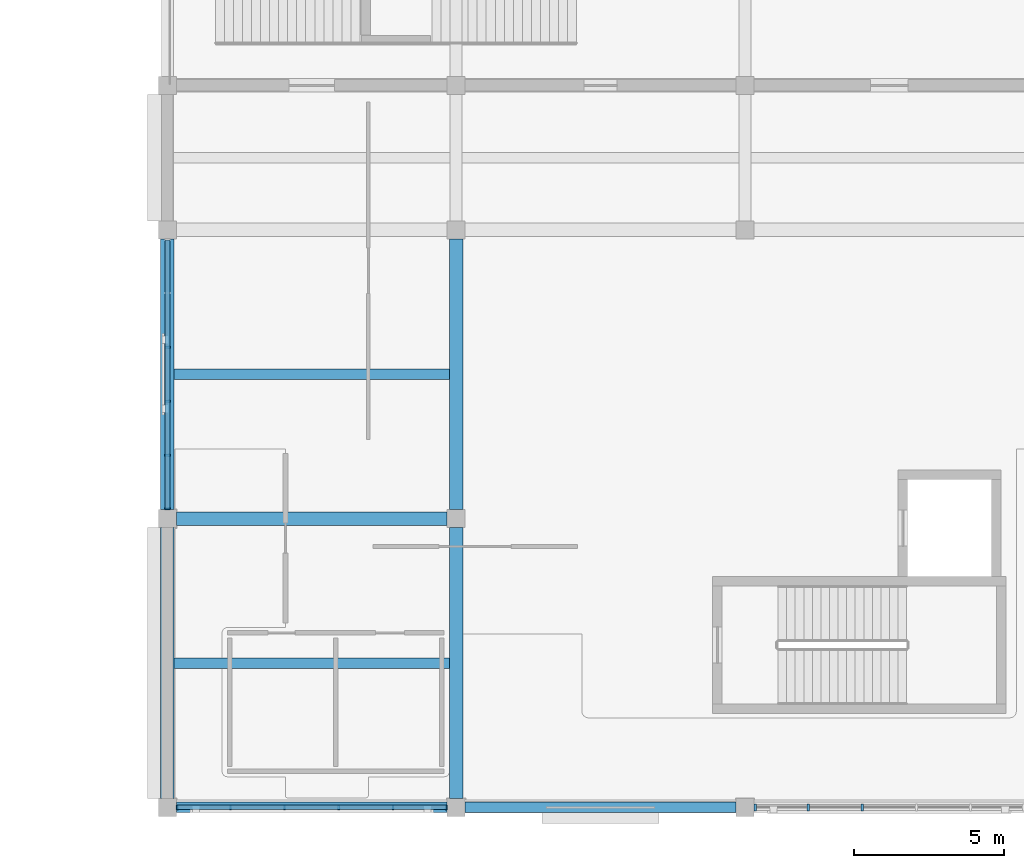
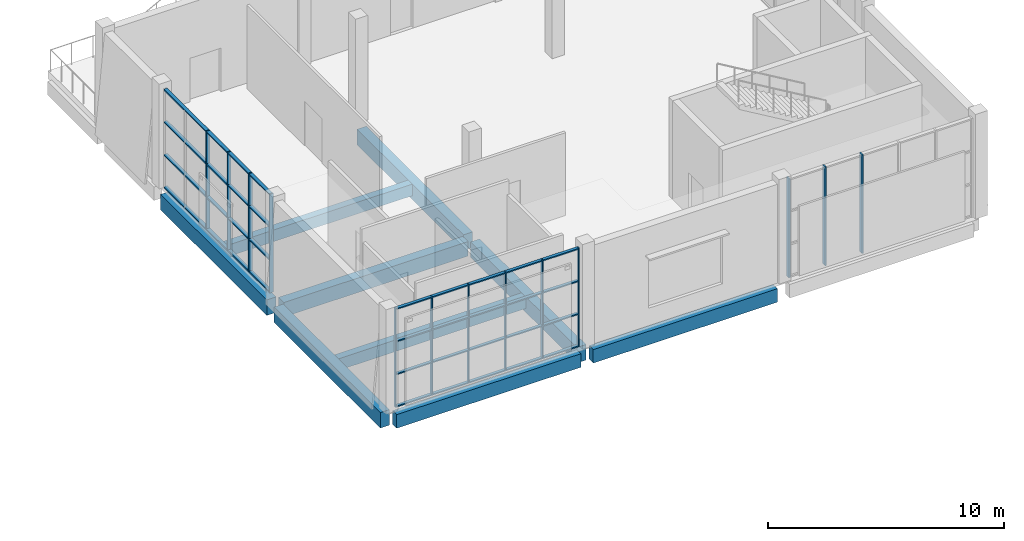
# One storey, part 11 of 57: 21 members, 9 beams, 3 elements without a shape of their own.
"""IFC4 building model written with IfcOpenShell, lengths in metres."""

from ifc_helpers import new_model, si_unit, direction, frame, origin, origin_2d, place, context, subcontext, project, spatial, rectangle, extrude, material, material_profile, profile_set, type_object, element, aggregate, save


model = new_model("IFC4")

# Units and contexts
model_context = context("Model", 3, precision=1e-05, world=origin(), true_north=direction((0.0, 1.0)))
body_context = subcontext(model_context, "Body", "Model", "MODEL_VIEW")
ifc_project = project(units=[si_unit("LENGTHUNIT", "METRE"), si_unit("AREAUNIT", "SQUARE_METRE"), si_unit("VOLUMEUNIT", "CUBIC_METRE"), si_unit("PLANEANGLEUNIT", "RADIAN"), si_unit("MASSUNIT", "GRAM", prefix="KILO")], contexts=[model_context])

# Site, building, storey
site_placement = place(None, origin())
site = spatial("IfcSite", under=ifc_project, at=site_placement, CompositionType="ELEMENT")
building_placement = place(site_placement, origin())
building = spatial("IfcBuilding", under=site, at=building_placement, Name="Shalvenor Court Art Gallery", CompositionType="ELEMENT")
storey_placement = place(building_placement, frame((0.0, 0.0, 16.800048828125)))
storey = spatial("IfcBuildingStorey", under=building, at=storey_placement, Name="L03", CompositionType="ELEMENT", Elevation=16.800048828125)

# Beams
ifc_material_1 = material(Name="Concrete C40/50", Category="concrete")
ifc_material_profile_1 = material_profile(ifc_material_1, rectangle(XDim=0.449951171875, YDim=0.800048828125, at=origin_2d()), Name="RC 450x800")
ifc_profile_set_1 = profile_set([ifc_material_profile_1], Name="Concrete C40/50")
beam_type_1 = type_object("IfcBeamType", Name="B-03", PredefinedType="BEAM", material=ifc_profile_set_1)
for number, where, z_axis, x_axis, name in (
    (1, (96.0, 0.300048828125, -0.699951171875), (0.0, 1.0, 0.0), (-1.0, 0.0, 0.0), "L03 Girder BM-L03-B-03-0989"),
    (2, (96.0, 9.89990234375, -0.699951171875), (0.0, 1.0, 0.0), (-1.0, 0.0, 0.0), "L03 Girder BM-L03-B-03-0990"),
    (3, (105.60009765625, 0.300048828125, -0.699951171875), (0.0, 1.0, 0.0), (-1.0, 0.0, 0.0), "L03 Girder BM-L03-B-03-0996"),
    (4, (105.60009765625, 9.89990234375, -0.699951171875), (0.0, 1.0, 0.0), (-1.0, 0.0, 0.0), "L03 Girder BM-L03-B-03-0997"),
):
    element("IfcBeam", number, at=place(storey_placement, frame(where, z_axis=z_axis, x_axis=x_axis)), inside=storey, type_object=beam_type_1, Name=name, PredefinedType="BEAM", context=body_context, shape_type="SweptSolid", body=[
        extrude(rectangle(XDim=0.449951171875, YDim=0.800048828125, at=origin_2d()), origin(), (0.0, 0.0, 1.0), 9.0),
    ])
ifc_material_2 = material(Name="Concrete C40/50", Category="concrete")
ifc_material_profile_2 = material_profile(ifc_material_2, rectangle(XDim=0.449951171875, YDim=0.75, at=origin_2d()), Name="RC 450x750")
ifc_profile_set_2 = profile_set([ifc_material_profile_2], Name="Concrete C40/50")
beam_type_2 = type_object("IfcBeamType", Name="B-04", PredefinedType="BEAM", material=ifc_profile_set_2)
beam_placement = place(storey_placement, frame((96.300048828125, 9.60009765625, -0.675048828125), z_axis=(1.0, 0.0, 0.0), x_axis=(0.0, 1.0, 0.0)))
element("IfcBeam", 5, at=beam_placement, inside=storey, type_object=beam_type_2, Name="L03 Girder BM-L03-B-04-1050", PredefinedType="BEAM", context=body_context, shape_type="SweptSolid", body=[
    extrude(rectangle(XDim=0.449951171875, YDim=0.75, at=origin_2d()), origin(), (0.0, 0.0, 1.0), 9.0),
])

# Curtain wall, members
ifc_material_3 = material(Name="Anodised aluminium and low-iron glass curtain wall", Category="aluminium")
curtain_wall_type_1 = type_object("IfcCurtainWallType", Name="CW-5x3-90-51-122", PredefinedType="USERDEFINED", material=ifc_material_3)
curtain_wall_1_placement = place(storey_placement, origin())
curtain_wall_1 = element("IfcCurtainWall", 6, at=curtain_wall_1_placement, inside=storey, type_object=curtain_wall_type_1, Name="L03 V3 Curtain Wall CW-L03-112", ObjectType="CURTAIN WALL", PredefinedType="USERDEFINED")
ifc_material_4 = material(Name="Anodised aluminium mullion", Category="aluminium")
ifc_material_profile_3 = material_profile(ifc_material_4, rectangle(XDim=0.06494140625, YDim=0.179931640625, at=origin_2d()), Name="CWM-01")
ifc_profile_set_3 = profile_set([ifc_material_profile_3], Name="Anodised aluminium mullion")
member_type_1 = type_object("IfcMemberType", Name="CWM-01", PredefinedType="MULLION", material=ifc_profile_set_3)
member_1_placement = place(storey_placement, frame((96.0, 9.9326171875, 0.0), z_axis=(0.0, 0.0, 1.0), x_axis=(0.0, 1.0, 0.0)))
member_1 = element("IfcMember", 7, at=member_1_placement, type_object=member_type_1, Name="CW-5x3-90-51-122 mullion 1", PredefinedType="MULLION", context=body_context, shape_type="SweptSolid", body=[
    extrude(rectangle(XDim=0.06494140625, YDim=0.179931640625, at=origin_2d()), origin(), (0.0, 0.0, 1.0), 5.099853515625),
])
member_2_placement = place(storey_placement, frame((96.0, 11.699951171875, 0.0), z_axis=(0.0, 0.0, 1.0), x_axis=(0.0, 1.0, 0.0)))
member_2 = element("IfcMember", 8, at=member_2_placement, type_object=member_type_1, Name="CW-5x3-90-51-122 mullion 2", PredefinedType="MULLION", context=body_context, shape_type="SweptSolid", body=[
    extrude(rectangle(XDim=0.06494140625, YDim=0.179931640625, at=origin_2d()), origin(), (0.0, 0.0, 1.0), 5.099853515625),
])
member_3_placement = place(storey_placement, frame((96.0, 13.5, 0.0), z_axis=(0.0, 0.0, 1.0), x_axis=(0.0, 1.0, 0.0)))
member_3 = element("IfcMember", 9, at=member_3_placement, type_object=member_type_1, Name="CW-5x3-90-51-122 mullion 3", PredefinedType="MULLION", context=body_context, shape_type="SweptSolid", body=[
    extrude(rectangle(XDim=0.06494140625, YDim=0.179931640625, at=origin_2d()), origin(), (0.0, 0.0, 1.0), 5.099853515625),
])
member_4_placement = place(storey_placement, frame((96.0, 15.300048828125, 0.0), z_axis=(0.0, 0.0, 1.0), x_axis=(0.0, 1.0, 0.0)))
member_4 = element("IfcMember", 10, at=member_4_placement, type_object=member_type_1, Name="CW-5x3-90-51-122 mullion 4", PredefinedType="MULLION", context=body_context, shape_type="SweptSolid", body=[
    extrude(rectangle(XDim=0.06494140625, YDim=0.179931640625, at=origin_2d()), origin(), (0.0, 0.0, 1.0), 5.099853515625),
])

ifc_material_5 = material(Name="Anodised aluminium and low-iron glass curtain wall", Category="aluminium")
curtain_wall_type_2 = type_object("IfcCurtainWallType", Name="CW-5x3-90-51-442", PredefinedType="USERDEFINED", material=ifc_material_5)
curtain_wall_2_placement = place(storey_placement, origin())
curtain_wall_2 = element("IfcCurtainWall", 11, at=curtain_wall_2_placement, inside=storey, type_object=curtain_wall_type_2, Name="L03 V3 Curtain Wall CW-L03-110", ObjectType="CURTAIN WALL", PredefinedType="USERDEFINED")
ifc_material_6 = material(Name="Anodised aluminium mullion", Category="aluminium")
ifc_material_profile_4 = material_profile(ifc_material_6, rectangle(XDim=0.074951171875, YDim=0.219970703125, at=origin_2d()), Name="CWM-04")
ifc_profile_set_4 = profile_set([ifc_material_profile_4], Name="Anodised aluminium mullion")
member_type_2 = type_object("IfcMemberType", Name="CWM-04", PredefinedType="MULLION", material=ifc_profile_set_4)
member_5_placement = place(storey_placement, frame((119.10009765625, 0.0, 0.0), z_axis=(0.0, 0.0, 1.0), x_axis=(-1.0, 0.0, 0.0)))
member_5 = element("IfcMember", 12, at=member_5_placement, type_object=member_type_2, Name="CW-5x3-90-51-442 mullion 4", PredefinedType="MULLION", context=body_context, shape_type="SweptSolid", body=[
    extrude(rectangle(XDim=0.074951171875, YDim=0.219970703125, at=origin_2d()), origin(), (0.0, 0.0, 1.0), 5.099853515625),
])
member_6_placement = place(storey_placement, frame((117.300048828125, 0.0, 0.0), z_axis=(0.0, 0.0, 1.0), x_axis=(-1.0, 0.0, 0.0)))
member_6 = element("IfcMember", 13, at=member_6_placement, type_object=member_type_2, Name="CW-5x3-90-51-442 mullion 5", PredefinedType="MULLION", context=body_context, shape_type="SweptSolid", body=[
    extrude(rectangle(XDim=0.074951171875, YDim=0.219970703125, at=origin_2d()), origin(), (0.0, 0.0, 1.0), 5.099853515625),
])
member_7_placement = place(storey_placement, frame((115.53759765625, 0.0, 0.0), z_axis=(0.0, 0.0, 1.0), x_axis=(-1.0, 0.0, 0.0)))
member_7 = element("IfcMember", 14, at=member_7_placement, type_object=member_type_2, Name="CW-5x3-90-51-442 mullion 6", PredefinedType="MULLION", context=body_context, shape_type="SweptSolid", body=[
    extrude(rectangle(XDim=0.074951171875, YDim=0.219970703125, at=origin_2d()), origin(), (0.0, 0.0, 1.0), 5.099853515625),
])
aggregate(curtain_wall_2, [member_5, member_6, member_7])

ifc_material_7 = material(Name="Anodised aluminium and low-iron glass curtain wall", Category="aluminium")
curtain_wall_type_3 = type_object("IfcCurtainWallType", Name="CW-5x3-90-51-612", PredefinedType="USERDEFINED", material=ifc_material_7)
curtain_wall_3_placement = place(storey_placement, origin())
curtain_wall_3 = element("IfcCurtainWall", 15, at=curtain_wall_3_placement, inside=storey, type_object=curtain_wall_type_3, Name="L03 V3 Curtain Wall CW-L03-111", ObjectType="CURTAIN WALL", PredefinedType="USERDEFINED")
ifc_material_8 = material(Name="Anodised aluminium mullion", Category="aluminium")
ifc_material_profile_5 = material_profile(ifc_material_8, rectangle(XDim=0.054931640625, YDim=0.139892578125, at=origin_2d()), Name="CWM-06")
ifc_profile_set_5 = profile_set([ifc_material_profile_5], Name="Anodised aluminium mullion")
member_type_3 = type_object("IfcMemberType", Name="CWM-06", PredefinedType="MULLION", material=ifc_profile_set_5)
member_8_placement = place(storey_placement, frame((105.2724609375, 0.0, 0.0), z_axis=(0.0, 0.0, 1.0), x_axis=(-1.0, 0.0, 0.0)))
member_8 = element("IfcMember", 16, at=member_8_placement, type_object=member_type_3, Name="CW-5x3-90-51-612 mullion 1", PredefinedType="MULLION", context=body_context, shape_type="SweptSolid", body=[
    extrude(rectangle(XDim=0.054931640625, YDim=0.139892578125, at=origin_2d()), origin(), (0.0, 0.0, 1.0), 5.099853515625),
])
member_9_placement = place(storey_placement, frame((103.5, 0.0, 0.0), z_axis=(0.0, 0.0, 1.0), x_axis=(-1.0, 0.0, 0.0)))
member_9 = element("IfcMember", 17, at=member_9_placement, type_object=member_type_3, Name="CW-5x3-90-51-612 mullion 2", PredefinedType="MULLION", context=body_context, shape_type="SweptSolid", body=[
    extrude(rectangle(XDim=0.054931640625, YDim=0.139892578125, at=origin_2d()), origin(), (0.0, 0.0, 1.0), 5.099853515625),
])
member_10_placement = place(storey_placement, frame((101.699951171875, 0.0, 0.0), z_axis=(0.0, 0.0, 1.0), x_axis=(-1.0, 0.0, 0.0)))
member_10 = element("IfcMember", 18, at=member_10_placement, type_object=member_type_3, Name="CW-5x3-90-51-612 mullion 3", PredefinedType="MULLION", context=body_context, shape_type="SweptSolid", body=[
    extrude(rectangle(XDim=0.054931640625, YDim=0.139892578125, at=origin_2d()), origin(), (0.0, 0.0, 1.0), 5.099853515625),
])
member_11_placement = place(storey_placement, frame((99.89990234375, 0.0, 0.0), z_axis=(0.0, 0.0, 1.0), x_axis=(-1.0, 0.0, 0.0)))
member_11 = element("IfcMember", 19, at=member_11_placement, type_object=member_type_3, Name="CW-5x3-90-51-612 mullion 4", PredefinedType="MULLION", context=body_context, shape_type="SweptSolid", body=[
    extrude(rectangle(XDim=0.054931640625, YDim=0.139892578125, at=origin_2d()), origin(), (0.0, 0.0, 1.0), 5.099853515625),
])
member_12_placement = place(storey_placement, frame((98.10009765625, 0.0, 0.0), z_axis=(0.0, 0.0, 1.0), x_axis=(-1.0, 0.0, 0.0)))
member_12 = element("IfcMember", 20, at=member_12_placement, type_object=member_type_3, Name="CW-5x3-90-51-612 mullion 5", PredefinedType="MULLION", context=body_context, shape_type="SweptSolid", body=[
    extrude(rectangle(XDim=0.054931640625, YDim=0.139892578125, at=origin_2d()), origin(), (0.0, 0.0, 1.0), 5.099853515625),
])
member_13_placement = place(storey_placement, frame((96.327392578125, 0.0, 0.0), z_axis=(0.0, 0.0, 1.0), x_axis=(-1.0, 0.0, 0.0)))
member_13 = element("IfcMember", 21, at=member_13_placement, type_object=member_type_3, Name="CW-5x3-90-51-612 mullion 6", PredefinedType="MULLION", context=body_context, shape_type="SweptSolid", body=[
    extrude(rectangle(XDim=0.054931640625, YDim=0.139892578125, at=origin_2d()), origin(), (0.0, 0.0, 1.0), 5.099853515625),
])
ifc_material_9 = material(Name="Anodised aluminium transom", Category="aluminium")
ifc_material_profile_6 = material_profile(ifc_material_9, rectangle(XDim=0.14990234375, YDim=0.06005859375, at=origin_2d()), Name="CWT-01")
ifc_profile_set_6 = profile_set([ifc_material_profile_6], Name="Anodised aluminium transom")
member_type_4 = type_object("IfcMemberType", Name="CWT-01", PredefinedType="USERDEFINED", material=ifc_profile_set_6)
member_14_placement = place(storey_placement, frame((105.2724609375, 0.0, 0.030029296875), z_axis=(-1.0, 0.0, 0.0), x_axis=(0.0, -1.0, 0.0)))
member_14 = element("IfcMember", 22, at=member_14_placement, type_object=member_type_4, Name="CW-5x3-90-51-612 transom 1", ObjectType="TRANSOM", PredefinedType="USERDEFINED", context=body_context, shape_type="SweptSolid", body=[
    extrude(rectangle(XDim=0.14990234375, YDim=0.06005859375, at=origin_2d()), origin(), (0.0, 0.0, 1.0), 8.945068359375),
])
member_15_placement = place(storey_placement, frame((105.2724609375, 0.0, 1.699951171875), z_axis=(-1.0, 0.0, 0.0), x_axis=(0.0, -1.0, 0.0)))
member_15 = element("IfcMember", 23, at=member_15_placement, type_object=member_type_4, Name="CW-5x3-90-51-612 transom 2", ObjectType="TRANSOM", PredefinedType="USERDEFINED", context=body_context, shape_type="SweptSolid", body=[
    extrude(rectangle(XDim=0.14990234375, YDim=0.06005859375, at=origin_2d()), origin(), (0.0, 0.0, 1.0), 8.945068359375),
])
member_16_placement = place(storey_placement, frame((105.2724609375, 0.0, 3.39990234375), z_axis=(-1.0, 0.0, 0.0), x_axis=(0.0, -1.0, 0.0)))
member_16 = element("IfcMember", 24, at=member_16_placement, type_object=member_type_4, Name="CW-5x3-90-51-612 transom 3", ObjectType="TRANSOM", PredefinedType="USERDEFINED", context=body_context, shape_type="SweptSolid", body=[
    extrude(rectangle(XDim=0.14990234375, YDim=0.06005859375, at=origin_2d()), origin(), (0.0, 0.0, 1.0), 8.945068359375),
])
member_17_placement = place(storey_placement, frame((105.2724609375, 0.0, 5.070068359375), z_axis=(-1.0, 0.0, 0.0), x_axis=(0.0, -1.0, 0.0)))
member_17 = element("IfcMember", 25, at=member_17_placement, type_object=member_type_4, Name="CW-5x3-90-51-612 transom 4", ObjectType="TRANSOM", PredefinedType="USERDEFINED", context=body_context, shape_type="SweptSolid", body=[
    extrude(rectangle(XDim=0.14990234375, YDim=0.06005859375, at=origin_2d()), origin(), (0.0, 0.0, 1.0), 8.945068359375),
])
aggregate(curtain_wall_3, [member_8, member_9, member_10, member_11, member_12, member_13, member_14, member_15, member_16, member_17])

# Member
ifc_material_10 = material(Name="Anodised aluminium transom", Category="aluminium")
ifc_material_profile_7 = material_profile(ifc_material_10, rectangle(XDim=0.169921875, YDim=0.06494140625, at=origin_2d()), Name="CWT-02")
ifc_profile_set_7 = profile_set([ifc_material_profile_7], Name="Anodised aluminium transom")
member_type_5 = type_object("IfcMemberType", Name="CWT-02", PredefinedType="USERDEFINED", material=ifc_profile_set_7)
member_18_placement = place(storey_placement, frame((96.0, 9.9326171875, 0.032470703125), z_axis=(0.0, 1.0, 0.0), x_axis=(-1.0, 0.0, 0.0)))
member_18 = element("IfcMember", 26, at=member_18_placement, type_object=member_type_5, Name="CW-5x3-90-51-122 transom 1", ObjectType="TRANSOM", PredefinedType="USERDEFINED", context=body_context, shape_type="SweptSolid", body=[
    extrude(rectangle(XDim=0.169921875, YDim=0.06494140625, at=origin_2d()), origin(), (0.0, 0.0, 1.0), 8.934814453125),
])

member_19_placement = place(storey_placement, frame((96.0, 9.9326171875, 1.699951171875), z_axis=(0.0, 1.0, 0.0), x_axis=(-1.0, 0.0, 0.0)))
member_19 = element("IfcMember", 27, at=member_19_placement, type_object=member_type_5, Name="CW-5x3-90-51-122 transom 2", ObjectType="TRANSOM", PredefinedType="USERDEFINED", context=body_context, shape_type="SweptSolid", body=[
    extrude(rectangle(XDim=0.169921875, YDim=0.06494140625, at=origin_2d()), origin(), (0.0, 0.0, 1.0), 8.934814453125),
])

member_20_placement = place(storey_placement, frame((96.0, 9.9326171875, 3.39990234375), z_axis=(0.0, 1.0, 0.0), x_axis=(-1.0, 0.0, 0.0)))
member_20 = element("IfcMember", 28, at=member_20_placement, type_object=member_type_5, Name="CW-5x3-90-51-122 transom 3", ObjectType="TRANSOM", PredefinedType="USERDEFINED", context=body_context, shape_type="SweptSolid", body=[
    extrude(rectangle(XDim=0.169921875, YDim=0.06494140625, at=origin_2d()), origin(), (0.0, 0.0, 1.0), 8.934814453125),
])

member_21_placement = place(storey_placement, frame((96.0, 9.9326171875, 5.0673828125), z_axis=(0.0, 1.0, 0.0), x_axis=(-1.0, 0.0, 0.0)))
member_21 = element("IfcMember", 29, at=member_21_placement, type_object=member_type_5, Name="CW-5x3-90-51-122 transom 4", ObjectType="TRANSOM", PredefinedType="USERDEFINED", context=body_context, shape_type="SweptSolid", body=[
    extrude(rectangle(XDim=0.169921875, YDim=0.06494140625, at=origin_2d()), origin(), (0.0, 0.0, 1.0), 8.934814453125),
])

aggregate(curtain_wall_1, [member_1, member_2, member_3, member_4, member_18, member_19, member_20, member_21])

# Beams
ifc_material_11 = material(Name="Concrete C40/50", Category="concrete")
ifc_material_profile_8 = material_profile(ifc_material_11, rectangle(XDim=0.35009765625, YDim=0.60009765625, at=origin_2d()), Name="RC 350x600")
ifc_profile_set_8 = profile_set([ifc_material_profile_8], Name="Concrete C40/50")
beam_type_3 = type_object("IfcBeamType", Name="J-01", PredefinedType="JOIST", material=ifc_profile_set_8)
for number, where, z_axis, x_axis, name in (
    (30, (96.22509765625, 4.800048828125, -0.60009765625), (1.0, 0.0, 0.0), (0.0, 1.0, 0.0), "L03 Secondary Beam JST-L03-J-01-1142"),
    (31, (96.22509765625, 14.39990234375, -0.60009765625), (1.0, 0.0, 0.0), (0.0, 1.0, 0.0), "L03 Secondary Beam JST-L03-J-01-1143"),
):
    element("IfcBeam", number, at=place(storey_placement, frame(where, z_axis=z_axis, x_axis=x_axis)), inside=storey, type_object=beam_type_3, Name=name, PredefinedType="JOIST", context=body_context, shape_type="SweptSolid", body=[
        extrude(rectangle(XDim=0.35009765625, YDim=0.60009765625, at=origin_2d()), origin(), (0.0, 0.0, 1.0), 9.14990234375),
    ])
ifc_material_12 = material(Name="Concrete C40/50", Category="concrete")
ifc_material_profile_9 = material_profile(ifc_material_12, rectangle(XDim=0.35009765625, YDim=0.699951171875, at=origin_2d()), Name="RC 350x700")
ifc_profile_set_9 = profile_set([ifc_material_profile_9], Name="Concrete C40/50")
beam_type_4 = type_object("IfcBeamType", Name="SP-01", PredefinedType="SPANDREL", material=ifc_profile_set_9)
for number, where, z_axis, x_axis, name in (
    (32, (96.300048828125, 0.0, -0.650146484375), (1.0, 0.0, 0.0), (0.0, 1.0, 0.0), "L03 Spandrel Girder BM-L03-SP-01-1047"),
    (33, (105.89990234375, 0.0, -0.650146484375), (1.0, 0.0, 0.0), (0.0, 1.0, 0.0), "L03 Spandrel Girder BM-L03-SP-01-1048"),
):
    element("IfcBeam", number, at=place(storey_placement, frame(where, z_axis=z_axis, x_axis=x_axis)), inside=storey, type_object=beam_type_4, Name=name, PredefinedType="SPANDREL", context=body_context, shape_type="SweptSolid", body=[
        extrude(rectangle(XDim=0.35009765625, YDim=0.699951171875, at=origin_2d()), origin(), (0.0, 0.0, 1.0), 9.0),
    ])

save(model, "model.ifc")
